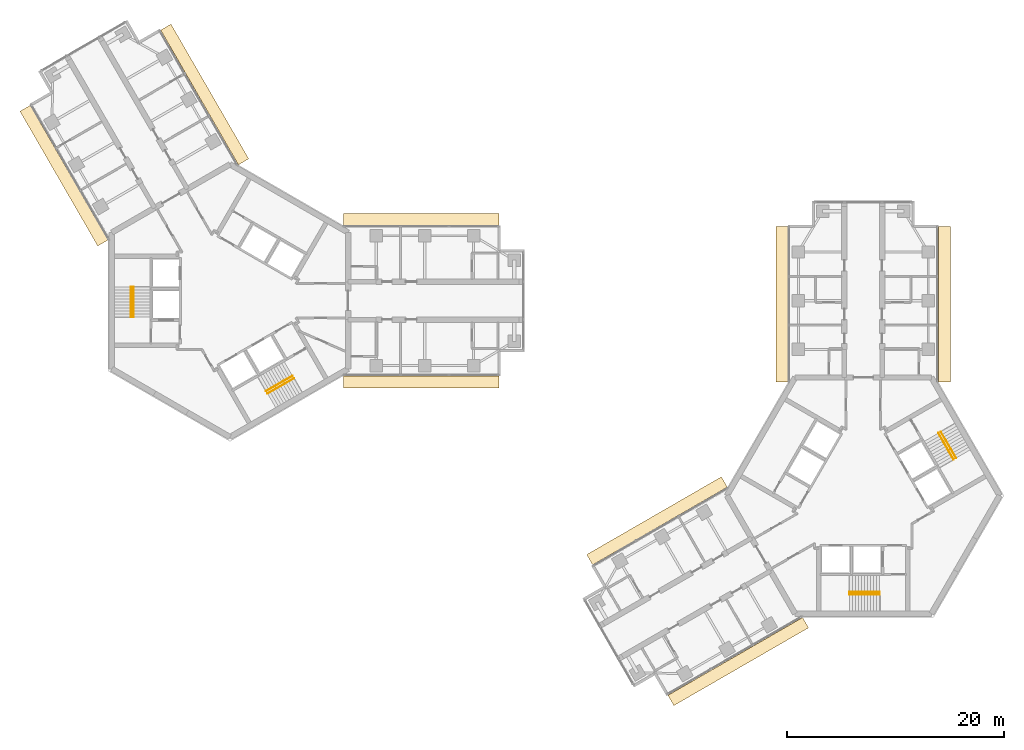
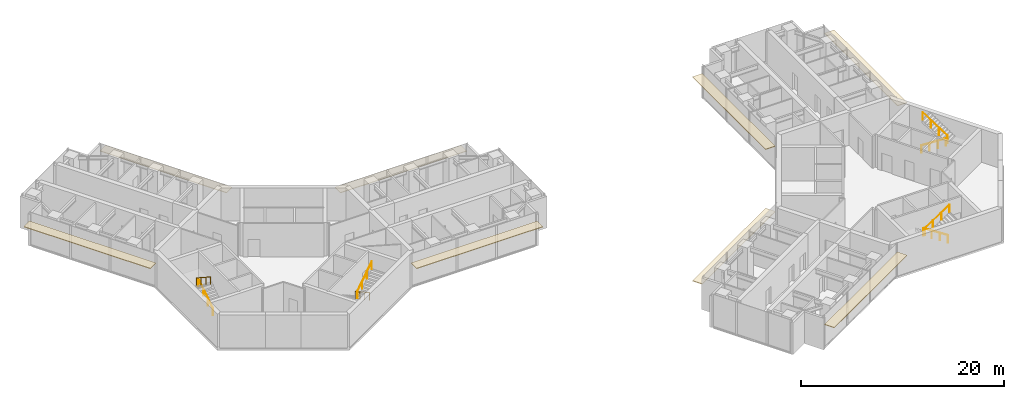
# One storey, part 17 of 17: 8 coverings, 8 railings.
"""IFC4 building model written with IfcOpenShell, lengths in metres."""

from ifc_helpers import new_model, si_unit, direction, frame, origin, origin_2d, place, context, subcontext, project, spatial, rectangle, circle, extrude, material, layer, layer_set, type_object, element, save


model = new_model("IFC4")

# Units and contexts
model_context = context("Model", 3, precision=1e-05, world=origin(), true_north=direction((0.0, 1.0)))
body_context = subcontext(model_context, "Body", "Model", "MODEL_VIEW")
ifc_project = project(units=[si_unit("LENGTHUNIT", "METRE"), si_unit("AREAUNIT", "SQUARE_METRE"), si_unit("VOLUMEUNIT", "CUBIC_METRE"), si_unit("PLANEANGLEUNIT", "RADIAN"), si_unit("MASSUNIT", "GRAM", prefix="KILO")], contexts=[model_context])

# Site, building, storey
site_placement = place(None, origin())
site = spatial("IfcSite", under=ifc_project, at=site_placement, CompositionType="ELEMENT")
building_placement = place(site_placement, origin())
building = spatial("IfcBuilding", under=site, at=building_placement, Name="Upepo Twin Towers", CompositionType="ELEMENT")
storey_placement = place(building_placement, frame((0.0, 0.0, 194.5)))
storey = spatial("IfcBuildingStorey", under=building, at=storey_placement, Name="L47", CompositionType="ELEMENT", Elevation=194.5)

# Coverings
ifc_material_1 = material(Name="Anodised aluminium, pale silver", Category="aluminium")
ifc_layer = layer(ifc_material_1, 0.080078125)
ifc_layer_set = layer_set([ifc_layer], Name="Brise-soleil blade 1100 pale aluminium")
covering_type = type_object("IfcCoveringType", Name="Brise-soleil blade 1100 pale aluminium", PredefinedType="USERDEFINED", material=ifc_layer_set)
for number, where, z_axis, x_axis, name in (
    (1, (17.66845703125, 7.50244140625, 2.909912109375), (0.0, 0.0, 1.0), (1.0, 0.0, 0.0), "T1 L47 wing A brise-soleil L"),
    (2, (17.66845703125, -7.50244140625, 2.909912109375), (0.0, 0.0, 1.0), (1.0, 0.0, 0.0), "T1 L47 wing A brise-soleil R"),
    (3, (-15.33154296875, 11.550048828125, 2.909912109375), (0.0, 0.0, 1.0), (-0.50000003023, 0.866025386331, 0.0), "T1 L47 wing B brise-soleil L"),
    (4, (-2.3369140625, 19.052734375, 2.909912109375), (0.0, 0.0, 1.0), (-0.49999996977, 0.866025421238, 0.0), "T1 L47 wing B brise-soleil R"),
    (5, (50.99755859375, -0.33154296875, 2.909912109375), (0.0, 0.0, 1.0), (0.0, 1.0, 0.0), "T2 L47 wing A brise-soleil L"),
    (6, (66.00244140625, -0.33154296875, 2.909912109375), (0.0, 0.0, 1.0), (0.0, 1.0, 0.0), "T2 L47 wing A brise-soleil R"),
    (7, (46.949951171875, -33.33154296875, 2.909912109375), (0.0, 0.0, 1.0), (-0.866025386331, -0.50000003023, 0.0), "T2 L47 wing B brise-soleil L"),
    (8, (39.447265625, -20.3369140625, 2.909912109375), (0.0, 0.0, 1.0), (-0.866025421238, -0.49999996977, 0.0), "T2 L47 wing B brise-soleil R"),
):
    element("IfcCovering", number, at=place(storey_placement, frame(where, z_axis=z_axis, x_axis=x_axis)), inside=storey, type_object=covering_type, Name=name, ObjectType="SUNSHADE", PredefinedType="USERDEFINED", context=body_context, shape_type="SweptSolid", body=[
        extrude(rectangle(XDim=14.36279296875, YDim=1.10009765625, at=origin_2d()), origin(), (0.0, 0.0, 1.0), 0.080078125),
    ])

# Railings
ifc_material_2 = material(Name="Stainless steel", Category="steel")
railing_type = type_object("IfcRailingType", Name="Stair handrail 900", PredefinedType="HANDRAIL", material=ifc_material_2)
railing_1_placement = place(storey_placement, frame((-8.89990234375, -1.52001953125, 0.181884765625)))
element("IfcRailing", 9, at=railing_1_placement, inside=storey, type_object=railing_type, Name="T1 stair S1 L47 handrail 1", PredefinedType="HANDRAIL", context=body_context, shape_type="SweptSolid", body=[
    extrude(circle(Radius=0.02392578125, at=origin_2d()), frame((0.0, 0.0, 0.8759765625), z_axis=(0.0, 0.838705829183, 0.544584733623), x_axis=(-1.0, 0.0, 0.0)), (0.0, 0.0, 1.0), 3.338623046875),
    extrude(circle(Radius=0.02099609375, at=origin_2d()), origin(), (0.0, 0.0, 1.0), 0.851806640625),
    extrude(circle(Radius=0.02099609375, at=origin_2d()), frame((0.0, 0.933349609375, 0.60595703125)), (0.0, 0.0, 1.0), 0.851806640625),
    extrude(circle(Radius=0.02099609375, at=origin_2d()), frame((0.0, 1.86669921875, 1.212158203125)), (0.0, 0.0, 1.0), 0.851806640625),
    extrude(circle(Radius=0.02099609375, at=origin_2d()), frame((0.0, 2.800048828125, 1.818115234375)), (0.0, 0.0, 1.0), 0.851806640625),
])
railing_2_placement = place(storey_placement, frame((-9.158447265625, 1.280029296875, 2.181884765625)))
element("IfcRailing", 10, at=railing_2_placement, inside=storey, type_object=railing_type, Name="T1 stair S1 L47 handrail 2", PredefinedType="HANDRAIL", context=body_context, shape_type="SweptSolid", body=[
    extrude(circle(Radius=0.02392578125, at=origin_2d()), frame((0.0, 0.0, 0.8759765625), z_axis=(0.0, -0.838705829183, 0.544584733623), x_axis=(1.0, 0.0, 0.0)), (0.0, 0.0, 1.0), 3.338623046875),
    extrude(circle(Radius=0.02099609375, at=origin_2d()), origin(), (0.0, 0.0, 1.0), 0.851806640625),
    extrude(circle(Radius=0.02099609375, at=origin_2d()), frame((0.0, -0.933349609375, 0.60595703125)), (0.0, 0.0, 1.0), 0.851806640625),
    extrude(circle(Radius=0.02099609375, at=origin_2d()), frame((0.0, -1.86669921875, 1.212158203125)), (0.0, 0.0, 1.0), 0.851806640625),
    extrude(circle(Radius=0.02099609375, at=origin_2d()), frame((0.0, -2.800048828125, 1.818115234375)), (0.0, 0.0, 1.0), 0.851806640625),
])
railing_3_placement = place(storey_placement, frame((5.766357421875, -6.947509765625, 0.181884765625)))
element("IfcRailing", 11, at=railing_3_placement, inside=storey, type_object=railing_type, Name="T1 stair S2 L47 handrail 1", PredefinedType="HANDRAIL", context=body_context, shape_type="SweptSolid", body=[
    extrude(circle(Radius=0.02392578125, at=origin_2d()), frame((0.0, 0.0, 0.8759765625), z_axis=(-0.726314030065, -0.419392968428, 0.544589265193), x_axis=(0.500049511043, -0.865996816683, 0.0)), (0.0, 0.0, 1.0), 3.338623046875),
    extrude(circle(Radius=0.02099609375, at=origin_2d()), origin(), (0.0, 0.0, 1.0), 0.851806640625),
    extrude(circle(Radius=0.02099609375, at=origin_2d()), frame((-0.808349609375, -0.466796875, 0.60595703125)), (0.0, 0.0, 1.0), 0.851806640625),
    extrude(circle(Radius=0.02099609375, at=origin_2d()), frame((-1.616455078125, -0.933349609375, 1.212158203125)), (0.0, 0.0, 1.0), 0.851806640625),
    extrude(circle(Radius=0.02099609375, at=origin_2d()), frame((-2.4248046875, -1.400146484375, 1.818115234375)), (0.0, 0.0, 1.0), 0.851806640625),
])
railing_4_placement = place(storey_placement, frame((3.470703125, -8.5712890625, 2.181884765625)))
element("IfcRailing", 12, at=railing_4_placement, inside=storey, type_object=railing_type, Name="T1 stair S2 L47 handrail 2", PredefinedType="HANDRAIL", context=body_context, shape_type="SweptSolid", body=[
    extrude(circle(Radius=0.02392578125, at=origin_2d()), frame((0.0, 0.0, 0.8759765625), z_axis=(0.726336304947, 0.419332699614, 0.544605966869), x_axis=(-0.49998411664, 0.866034573852, 0.0)), (0.0, 0.0, 1.0), 3.33837890625),
    extrude(circle(Radius=0.02099609375, at=origin_2d()), origin(), (0.0, 0.0, 1.0), 0.851806640625),
    extrude(circle(Radius=0.02099609375, at=origin_2d()), frame((0.808349609375, 0.466552734375, 0.60595703125)), (0.0, 0.0, 1.0), 0.851806640625),
    extrude(circle(Radius=0.02099609375, at=origin_2d()), frame((1.616455078125, 0.933349609375, 1.212158203125)), (0.0, 0.0, 1.0), 0.851806640625),
    extrude(circle(Radius=0.02099609375, at=origin_2d()), frame((2.4248046875, 1.39990234375, 1.818115234375)), (0.0, 0.0, 1.0), 0.851806640625),
])
railing_5_placement = place(storey_placement, frame((60.02001953125, -26.89990234375, 0.181884765625)))
element("IfcRailing", 13, at=railing_5_placement, inside=storey, type_object=railing_type, Name="T2 stair S1 L47 handrail 1", PredefinedType="HANDRAIL", context=body_context, shape_type="SweptSolid", body=[
    extrude(circle(Radius=0.02392578125, at=origin_2d()), frame((0.0, 0.0, 0.8759765625), z_axis=(-0.838705829183, 0.0, 0.544584733623), x_axis=(0.0, -1.0, 0.0)), (0.0, 0.0, 1.0), 3.338623046875),
    extrude(circle(Radius=0.02099609375, at=origin_2d()), origin(), (0.0, 0.0, 1.0), 0.851806640625),
    extrude(circle(Radius=0.02099609375, at=origin_2d()), frame((-0.933349609375, 0.0, 0.60595703125)), (0.0, 0.0, 1.0), 0.851806640625),
    extrude(circle(Radius=0.02099609375, at=origin_2d()), frame((-1.86669921875, 0.0, 1.212158203125)), (0.0, 0.0, 1.0), 0.851806640625),
    extrude(circle(Radius=0.02099609375, at=origin_2d()), frame((-2.800048828125, 0.0, 1.818115234375)), (0.0, 0.0, 1.0), 0.851806640625),
])
railing_6_placement = place(storey_placement, frame((57.219970703125, -27.158447265625, 2.181884765625)))
element("IfcRailing", 14, at=railing_6_placement, inside=storey, type_object=railing_type, Name="T2 stair S1 L47 handrail 2", PredefinedType="HANDRAIL", context=body_context, shape_type="SweptSolid", body=[
    extrude(circle(Radius=0.02392578125, at=origin_2d()), frame((0.0, 0.0, 0.8759765625), z_axis=(0.838705829183, 0.0, 0.544584733623), x_axis=(0.0, 1.0, 0.0)), (0.0, 0.0, 1.0), 3.338623046875),
    extrude(circle(Radius=0.02099609375, at=origin_2d()), origin(), (0.0, 0.0, 1.0), 0.851806640625),
    extrude(circle(Radius=0.02099609375, at=origin_2d()), frame((0.933349609375, 0.0, 0.60595703125)), (0.0, 0.0, 1.0), 0.851806640625),
    extrude(circle(Radius=0.02099609375, at=origin_2d()), frame((1.86669921875, 0.0, 1.212158203125)), (0.0, 0.0, 1.0), 0.851806640625),
    extrude(circle(Radius=0.02099609375, at=origin_2d()), frame((2.800048828125, 0.0, 1.818115234375)), (0.0, 0.0, 1.0), 0.851806640625),
])
railing_7_placement = place(storey_placement, frame((65.447509765625, -12.233642578125, 0.181884765625)))
element("IfcRailing", 15, at=railing_7_placement, inside=storey, type_object=railing_type, Name="T2 stair S2 L47 handrail 1", PredefinedType="HANDRAIL", context=body_context, shape_type="SweptSolid", body=[
    extrude(circle(Radius=0.02392578125, at=origin_2d()), frame((0.0, 0.0, 0.8759765625), z_axis=(0.419392968428, -0.726314030065, 0.544589265193), x_axis=(0.865996816683, 0.500049511043, 0.0)), (0.0, 0.0, 1.0), 3.338623046875),
    extrude(circle(Radius=0.02099609375, at=origin_2d()), origin(), (0.0, 0.0, 1.0), 0.851806640625),
    extrude(circle(Radius=0.02099609375, at=origin_2d()), frame((0.466796875, -0.808349609375, 0.60595703125)), (0.0, 0.0, 1.0), 0.851806640625),
    extrude(circle(Radius=0.02099609375, at=origin_2d()), frame((0.933349609375, -1.616455078125, 1.212158203125)), (0.0, 0.0, 1.0), 0.851806640625),
    extrude(circle(Radius=0.02099609375, at=origin_2d()), frame((1.400146484375, -2.4248046875, 1.818115234375)), (0.0, 0.0, 1.0), 0.851806640625),
])
railing_8_placement = place(storey_placement, frame((67.0712890625, -14.529296875, 2.181884765625)))
element("IfcRailing", 16, at=railing_8_placement, inside=storey, type_object=railing_type, Name="T2 stair S2 L47 handrail 2", PredefinedType="HANDRAIL", context=body_context, shape_type="SweptSolid", body=[
    extrude(circle(Radius=0.02392578125, at=origin_2d()), frame((0.0, 0.0, 0.8759765625), z_axis=(-0.419332699614, 0.726336304947, 0.544605966869), x_axis=(-0.866034573852, -0.49998411664, 0.0)), (0.0, 0.0, 1.0), 3.33837890625),
    extrude(circle(Radius=0.02099609375, at=origin_2d()), origin(), (0.0, 0.0, 1.0), 0.851806640625),
    extrude(circle(Radius=0.02099609375, at=origin_2d()), frame((-0.466552734375, 0.808349609375, 0.60595703125)), (0.0, 0.0, 1.0), 0.851806640625),
    extrude(circle(Radius=0.02099609375, at=origin_2d()), frame((-0.933349609375, 1.616455078125, 1.212158203125)), (0.0, 0.0, 1.0), 0.851806640625),
    extrude(circle(Radius=0.02099609375, at=origin_2d()), frame((-1.39990234375, 2.4248046875, 1.818115234375)), (0.0, 0.0, 1.0), 0.851806640625),
])

save(model, "model.ifc")
